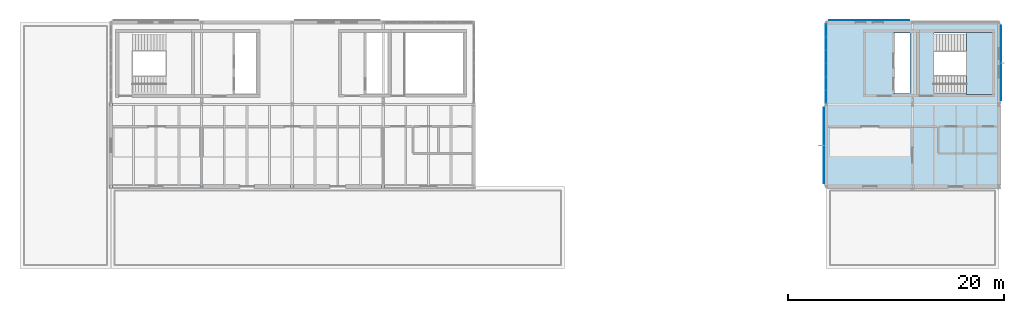
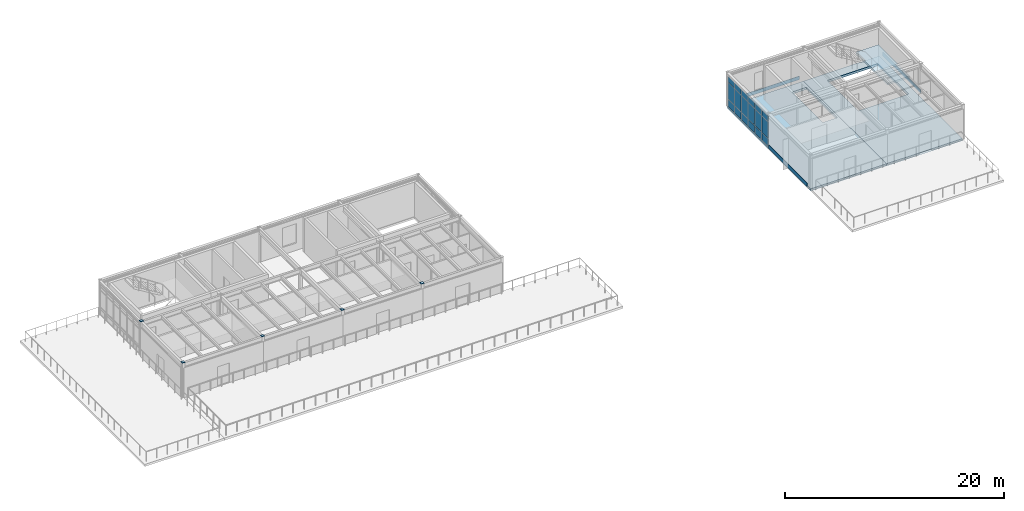
# One storey, part 18 of 26: 26 plates, 3 slabs, 2 elements without a shape of their own.
"""IFC4 building model written with IfcOpenShell, lengths in metres."""

from ifc_helpers import new_model, si_unit, direction, frame, origin, origin_2d, place, context, subcontext, project, spatial, polyline, rectangle, outline, extrude, material, layer, layer_set, type_object, element, aggregate, save


model = new_model("IFC4")

# Units and contexts
model_context = context("Model", 3, precision=1e-05, world=origin(), true_north=direction((0.0, 1.0)))
body_context = subcontext(model_context, "Body", "Model", "MODEL_VIEW")
ifc_project = project(units=[si_unit("LENGTHUNIT", "METRE"), si_unit("AREAUNIT", "SQUARE_METRE"), si_unit("VOLUMEUNIT", "CUBIC_METRE"), si_unit("PLANEANGLEUNIT", "RADIAN"), si_unit("MASSUNIT", "GRAM", prefix="KILO")], contexts=[model_context])

# Site, building, storey
site_placement = place(None, origin())
site = spatial("IfcSite", under=ifc_project, at=site_placement, CompositionType="ELEMENT")
building_placement = place(site_placement, origin())
building = spatial("IfcBuilding", under=site, at=building_placement, Name="Montecoro Central Library", CompositionType="ELEMENT")
storey_placement = place(building_placement, frame((0.0, 0.0, 21.419921875)))
storey = spatial("IfcBuildingStorey", under=building, at=storey_placement, Name="L05", CompositionType="ELEMENT", Elevation=21.419921875)

# Curtain wall, plates
ifc_material_1 = material(Name="Bronze-anodised aluminium and low-E glazing", Category="aluminium")
ifc_layer_1 = layer(ifc_material_1, 0.159912109375)
ifc_layer_set_1 = layer_set([ifc_layer_1], Name="Bronze-anodised aluminium and low-E glazing")
curtain_wall_type = type_object("IfcCurtainWallType", Name="CWT-057", PredefinedType="NOTDEFINED", material=ifc_layer_set_1)
curtain_wall_placement = place(storey_placement, origin())
curtain_wall = element("IfcCurtainWall", 1, at=curtain_wall_placement, inside=storey, type_object=curtain_wall_type, Name="V5-L05-CW-W1", PredefinedType="NOTDEFINED")
ifc_material_2 = material(Name="Laminated low-E double glazing", Category="glass")
ifc_layer_2 = layer(ifc_material_2, 0.033935546875)
ifc_layer_set_2 = layer_set([ifc_layer_2], Name="Laminated low-E double glazing")
plate_type_1 = type_object("IfcPlateType", Name="CWP-GLZ-03", PredefinedType="CURTAIN_PANEL", material=ifc_layer_set_2)
plate_1_placement = place(storey_placement, frame((141.0, 118.274169921875, 0.06005859375), z_axis=(0.0, 0.0, 1.0), x_axis=(0.0, -1.0, 0.0)))
plate_1 = element("IfcPlate", 2, at=plate_1_placement, type_object=plate_type_1, Name="CW-057 panel 1.1", PredefinedType="CURTAIN_PANEL", context=body_context, shape_type="SweptSolid", body=[
    extrude(rectangle(XDim=1.145751953125, YDim=0.033935546875, at=origin_2d()), origin(), (0.0, 0.0, 1.0), 0.81005859375),
])
plate_2_placement = place(storey_placement, frame((141.0, 118.274169921875, 0.93017578125), z_axis=(0.0, 0.0, 1.0), x_axis=(0.0, -1.0, 0.0)))
plate_2 = element("IfcPlate", 3, at=plate_2_placement, type_object=plate_type_1, Name="CW-057 panel 1.2", PredefinedType="CURTAIN_PANEL", context=body_context, shape_type="SweptSolid", body=[
    extrude(rectangle(XDim=1.145751953125, YDim=0.033935546875, at=origin_2d()), origin(), (0.0, 0.0, 1.0), 1.820068359375),
])
plate_3_placement = place(storey_placement, frame((141.0, 118.274169921875, 2.81005859375), z_axis=(0.0, 0.0, 1.0), x_axis=(0.0, -1.0, 0.0)))
plate_3 = element("IfcPlate", 4, at=plate_3_placement, type_object=plate_type_1, Name="CW-057 panel 1.3", PredefinedType="CURTAIN_PANEL", context=body_context, shape_type="SweptSolid", body=[
    extrude(rectangle(XDim=1.145751953125, YDim=0.033935546875, at=origin_2d()), origin(), (0.0, 0.0, 1.0), 0.610107421875),
])
plate_4_placement = place(storey_placement, frame((141.0, 117.053466796875, 0.06005859375), z_axis=(0.0, 0.0, 1.0), x_axis=(0.0, -1.0, 0.0)))
plate_4 = element("IfcPlate", 5, at=plate_4_placement, type_object=plate_type_1, Name="CW-057 panel 2.1", PredefinedType="CURTAIN_PANEL", context=body_context, shape_type="SweptSolid", body=[
    extrude(rectangle(XDim=1.17578125, YDim=0.033935546875, at=origin_2d()), origin(), (0.0, 0.0, 1.0), 0.81005859375),
])
plate_5_placement = place(storey_placement, frame((141.0, 117.053466796875, 0.93017578125), z_axis=(0.0, 0.0, 1.0), x_axis=(0.0, -1.0, 0.0)))
plate_5 = element("IfcPlate", 6, at=plate_5_placement, type_object=plate_type_1, Name="CW-057 panel 2.2", PredefinedType="CURTAIN_PANEL", context=body_context, shape_type="SweptSolid", body=[
    extrude(rectangle(XDim=1.17578125, YDim=0.033935546875, at=origin_2d()), origin(), (0.0, 0.0, 1.0), 1.820068359375),
])
plate_6_placement = place(storey_placement, frame((141.0, 117.053466796875, 2.81005859375), z_axis=(0.0, 0.0, 1.0), x_axis=(0.0, -1.0, 0.0)))
plate_6 = element("IfcPlate", 7, at=plate_6_placement, type_object=plate_type_1, Name="CW-057 panel 2.3", PredefinedType="CURTAIN_PANEL", context=body_context, shape_type="SweptSolid", body=[
    extrude(rectangle(XDim=1.17578125, YDim=0.033935546875, at=origin_2d()), origin(), (0.0, 0.0, 1.0), 0.610107421875),
])
plate_7_placement = place(storey_placement, frame((141.0, 115.81787109375, 0.06005859375), z_axis=(0.0, 0.0, 1.0), x_axis=(0.0, -1.0, 0.0)))
plate_7 = element("IfcPlate", 8, at=plate_7_placement, type_object=plate_type_1, Name="CW-057 panel 3.1", PredefinedType="CURTAIN_PANEL", context=body_context, shape_type="SweptSolid", body=[
    extrude(rectangle(XDim=1.17578125, YDim=0.033935546875, at=origin_2d()), origin(), (0.0, 0.0, 1.0), 0.81005859375),
])
plate_8_placement = place(storey_placement, frame((141.0, 115.81787109375, 0.93017578125), z_axis=(0.0, 0.0, 1.0), x_axis=(0.0, -1.0, 0.0)))
plate_8 = element("IfcPlate", 9, at=plate_8_placement, type_object=plate_type_1, Name="CW-057 panel 3.2", PredefinedType="CURTAIN_PANEL", context=body_context, shape_type="SweptSolid", body=[
    extrude(rectangle(XDim=1.17578125, YDim=0.033935546875, at=origin_2d()), origin(), (0.0, 0.0, 1.0), 1.820068359375),
])
plate_9_placement = place(storey_placement, frame((141.0, 115.81787109375, 2.81005859375), z_axis=(0.0, 0.0, 1.0), x_axis=(0.0, -1.0, 0.0)))
plate_9 = element("IfcPlate", 10, at=plate_9_placement, type_object=plate_type_1, Name="CW-057 panel 3.3", PredefinedType="CURTAIN_PANEL", context=body_context, shape_type="SweptSolid", body=[
    extrude(rectangle(XDim=1.17578125, YDim=0.033935546875, at=origin_2d()), origin(), (0.0, 0.0, 1.0), 0.610107421875),
])
plate_10_placement = place(storey_placement, frame((141.0, 114.582275390625, 0.06005859375), z_axis=(0.0, 0.0, 1.0), x_axis=(0.0, -1.0, 0.0)))
plate_10 = element("IfcPlate", 11, at=plate_10_placement, type_object=plate_type_1, Name="CW-057 panel 4.1", PredefinedType="CURTAIN_PANEL", context=body_context, shape_type="SweptSolid", body=[
    extrude(rectangle(XDim=1.17578125, YDim=0.033935546875, at=origin_2d()), origin(), (0.0, 0.0, 1.0), 0.81005859375),
])
plate_11_placement = place(storey_placement, frame((141.0, 114.582275390625, 0.93017578125), z_axis=(0.0, 0.0, 1.0), x_axis=(0.0, -1.0, 0.0)))
plate_11 = element("IfcPlate", 12, at=plate_11_placement, type_object=plate_type_1, Name="CW-057 panel 4.2", PredefinedType="CURTAIN_PANEL", context=body_context, shape_type="SweptSolid", body=[
    extrude(rectangle(XDim=1.17578125, YDim=0.033935546875, at=origin_2d()), origin(), (0.0, 0.0, 1.0), 1.820068359375),
])
plate_12_placement = place(storey_placement, frame((141.0, 114.582275390625, 2.81005859375), z_axis=(0.0, 0.0, 1.0), x_axis=(0.0, -1.0, 0.0)))
plate_12 = element("IfcPlate", 13, at=plate_12_placement, type_object=plate_type_1, Name="CW-057 panel 4.3", PredefinedType="CURTAIN_PANEL", context=body_context, shape_type="SweptSolid", body=[
    extrude(rectangle(XDim=1.17578125, YDim=0.033935546875, at=origin_2d()), origin(), (0.0, 0.0, 1.0), 0.610107421875),
])
plate_13_placement = place(storey_placement, frame((141.0, 113.346435546875, 0.06005859375), z_axis=(0.0, 0.0, 1.0), x_axis=(0.0, -1.0, 0.0)))
plate_13 = element("IfcPlate", 14, at=plate_13_placement, type_object=plate_type_1, Name="CW-057 panel 5.1", PredefinedType="CURTAIN_PANEL", context=body_context, shape_type="SweptSolid", body=[
    extrude(rectangle(XDim=1.17578125, YDim=0.033935546875, at=origin_2d()), origin(), (0.0, 0.0, 1.0), 0.81005859375),
])
plate_14_placement = place(storey_placement, frame((141.0, 113.346435546875, 0.93017578125), z_axis=(0.0, 0.0, 1.0), x_axis=(0.0, -1.0, 0.0)))
plate_14 = element("IfcPlate", 15, at=plate_14_placement, type_object=plate_type_1, Name="CW-057 panel 5.2", PredefinedType="CURTAIN_PANEL", context=body_context, shape_type="SweptSolid", body=[
    extrude(rectangle(XDim=1.17578125, YDim=0.033935546875, at=origin_2d()), origin(), (0.0, 0.0, 1.0), 1.820068359375),
])
plate_15_placement = place(storey_placement, frame((141.0, 113.346435546875, 2.81005859375), z_axis=(0.0, 0.0, 1.0), x_axis=(0.0, -1.0, 0.0)))
plate_15 = element("IfcPlate", 16, at=plate_15_placement, type_object=plate_type_1, Name="CW-057 panel 5.3", PredefinedType="CURTAIN_PANEL", context=body_context, shape_type="SweptSolid", body=[
    extrude(rectangle(XDim=1.17578125, YDim=0.033935546875, at=origin_2d()), origin(), (0.0, 0.0, 1.0), 0.610107421875),
])
plate_16_placement = place(storey_placement, frame((141.0, 112.125732421875, 0.06005859375), z_axis=(0.0, 0.0, 1.0), x_axis=(0.0, -1.0, 0.0)))
plate_16 = element("IfcPlate", 17, at=plate_16_placement, type_object=plate_type_1, Name="CW-057 panel 6.1", PredefinedType="CURTAIN_PANEL", context=body_context, shape_type="SweptSolid", body=[
    extrude(rectangle(XDim=1.145751953125, YDim=0.033935546875, at=origin_2d()), origin(), (0.0, 0.0, 1.0), 0.81005859375),
])
plate_17_placement = place(storey_placement, frame((141.0, 112.125732421875, 0.93017578125), z_axis=(0.0, 0.0, 1.0), x_axis=(0.0, -1.0, 0.0)))
plate_17 = element("IfcPlate", 18, at=plate_17_placement, type_object=plate_type_1, Name="CW-057 panel 6.2", PredefinedType="CURTAIN_PANEL", context=body_context, shape_type="SweptSolid", body=[
    extrude(rectangle(XDim=1.145751953125, YDim=0.033935546875, at=origin_2d()), origin(), (0.0, 0.0, 1.0), 1.820068359375),
])
plate_18_placement = place(storey_placement, frame((141.0, 112.125732421875, 2.81005859375), z_axis=(0.0, 0.0, 1.0), x_axis=(0.0, -1.0, 0.0)))
plate_18 = element("IfcPlate", 19, at=plate_18_placement, type_object=plate_type_1, Name="CW-057 panel 6.3", PredefinedType="CURTAIN_PANEL", context=body_context, shape_type="SweptSolid", body=[
    extrude(rectangle(XDim=1.145751953125, YDim=0.033935546875, at=origin_2d()), origin(), (0.0, 0.0, 1.0), 0.610107421875),
])
aggregate(curtain_wall, [plate_1, plate_2, plate_3, plate_4, plate_5, plate_6, plate_7, plate_8, plate_9, plate_10, plate_11, plate_12, plate_13, plate_14, plate_15, plate_16, plate_17, plate_18])

# Plates
ifc_material_3 = material(Name="Steel S355", Category="steel")
ifc_layer_3 = layer(ifc_material_3, 0.01611328125)
ifc_layer_set_3 = layer_set([ifc_layer_3], Name="Steel S355")
plate_type_2 = type_object("IfcPlateType", Name="PLT-CAP-16", PredefinedType="SHEET", material=ifc_layer_set_3)
for number, where, z_axis, x_axis, name in (
    (20, (74.800048828125, 103.800048828125, 3.880126953125), (0.0, 0.0, 1.0), (1.0, 0.0, 0.0), "V2-L05-CAPPL-10-P"),
    (21, (74.800048828125, 111.39990234375, 3.880126953125), (0.0, 0.0, 1.0), (1.0, 0.0, 0.0), "V2-L05-CAPPL-10-Q"),
    (22, (83.199951171875, 103.800048828125, 3.880126953125), (0.0, 0.0, 1.0), (1.0, 0.0, 0.0), "V2-L05-CAPPL-11-P"),
    (23, (91.60009765625, 103.800048828125, 3.880126953125), (0.0, 0.0, 1.0), (1.0, 0.0, 0.0), "V2-L05-CAPPL-12-P"),
    (24, (100.0, 103.800048828125, 3.880126953125), (0.0, 0.0, 1.0), (1.0, 0.0, 0.0), "V2-L05-CAPPL-13-P"),
):
    element("IfcPlate", number, at=place(storey_placement, frame(where, z_axis=z_axis, x_axis=x_axis)), inside=storey, type_object=plate_type_2, Name=name, PredefinedType="SHEET", context=body_context, shape_type="SweptSolid", body=[
        extrude(rectangle(XDim=0.300048828125, YDim=0.300048828125, at=origin_2d()), origin(), (0.0, 0.0, 1.0), 0.01611328125),
    ])
ifc_material_4 = material(Name="Architectural bronze spandrel plate", Category="aluminium")
ifc_layer_4 = layer(ifc_material_4, 0.035888671875)
ifc_layer_set_4 = layer_set([ifc_layer_4], Name="Architectural bronze spandrel plate")
plate_type_3 = type_object("IfcPlateType", Name="PLT-SPN-03", PredefinedType="SHEET", material=ifc_layer_set_4)
plate_19_placement = place(storey_placement, frame((145.0, 119.200439453125, 0.16015625), z_axis=(0.0, 0.0, 1.0), x_axis=(-1.0, 0.0, 0.0)))
element("IfcPlate", 25, at=plate_19_placement, inside=storey, type_object=plate_type_3, Name="V5-L05-SPN-N0", PredefinedType="SHEET", context=body_context, shape_type="SweptSolid", body=[
    extrude(rectangle(XDim=7.4140625, YDim=0.035888671875, at=origin_2d()), origin(), (0.0, 0.0, 1.0), 0.39990234375),
])
plate_20_placement = place(storey_placement, frame((140.799560546875, 107.60009765625, 0.16015625), z_axis=(0.0, 0.0, 1.0), x_axis=(0.0, -1.0, 0.0)))
element("IfcPlate", 26, at=plate_20_placement, inside=storey, type_object=plate_type_3, Name="V5-L05-SPN-W0", PredefinedType="SHEET", context=body_context, shape_type="SweptSolid", body=[
    extrude(rectangle(XDim=7.013916015625, YDim=0.035888671875, at=origin_2d()), origin(), (0.0, 0.0, 1.0), 0.39990234375),
])
ifc_layer_5 = layer(ifc_material_4, 0.0439453125)
ifc_layer_set_5 = layer_set([ifc_layer_5], Name="Architectural bronze spandrel plate")
plate_type_4 = type_object("IfcPlateType", Name="PLT-SPN-04", PredefinedType="SHEET", material=ifc_layer_set_5)
plate_21_placement = place(storey_placement, frame((157.20458984375, 115.242431640625, 0.16015625), z_axis=(0.0, 0.0, 1.0), x_axis=(0.0, 1.0, 0.0)))
element("IfcPlate", 27, at=plate_21_placement, inside=storey, type_object=plate_type_4, Name="V5-L05-SPN-E1", PredefinedType="SHEET", context=body_context, shape_type="SweptSolid", body=[
    extrude(rectangle(XDim=6.928955078125, YDim=0.0439453125, at=origin_2d()), origin(), (0.0, 0.0, 1.0), 0.39990234375),
])

# Stair, slab
ifc_material_5 = material(Name="Concrete C35/45", Category="concrete")
stair_type = type_object("IfcStairType", Name="STR-RET-160", PredefinedType="HALF_TURN_STAIR", material=ifc_material_5)
stair_placement = place(storey_placement, origin())
stair = element("IfcStair", 28, at=stair_placement, inside=storey, type_object=stair_type, Name="C6-L05-STR", PredefinedType="HALF_TURN_STAIR")
ifc_layer_6 = layer(ifc_material_5, 0.199951171875)
ifc_layer_set_6 = layer_set([ifc_layer_6], Name="Concrete C35/45")
slab_type_1 = type_object("IfcSlabType", Name="SL-LND-200", PredefinedType="LANDING", material=ifc_layer_set_6)
slab_1_placement = place(storey_placement, frame((0.0, 0.0, 1.840087890625)))
slab_1 = element("IfcSlab", 29, at=slab_1_placement, type_object=slab_type_1, Name="ST-06 landing 1", PredefinedType="LANDING", context=body_context, shape_type="SweptSolid", body=[
    extrude(outline(polyline([(154.0, 112.320068359375), (156.3798828125, 112.320068359375), (156.3798828125, 118.080078125), (154.0, 118.080078125), (154.0, 112.320068359375)])), origin(), (0.0, 0.0, 1.0), 0.199951171875),
])
aggregate(stair, [slab_1])

# Slabs
ifc_material_6 = material(Name="Concrete C32/40", Category="concrete")
ifc_layer_7 = layer(ifc_material_6, 0.2451171875)
ifc_layer_set_7 = layer_set([ifc_layer_7], Name="Concrete C32/40")
slab_type_2 = type_object("IfcSlabType", Name="SL-STK-245", PredefinedType="FLOOR", material=ifc_layer_set_7)
slab_2_placement = place(storey_placement, frame((0.0, 0.0, -0.244873046875)))
element("IfcSlab", 30, at=slab_2_placement, inside=storey, type_object=slab_type_2, Name="V5-L05-SL1", PredefinedType="FLOOR", context=body_context, shape_type="SweptSolid", body=[
    extrude(outline(polyline([(141.0, 103.800048828125), (149.0, 103.800048828125), (149.0, 119.0), (141.0, 119.0), (141.0, 103.800048828125)]), holes=[polyline([(147.25, 118.0), (148.780029296875, 118.0), (148.780029296875, 112.39990234375), (147.25, 112.39990234375), (147.25, 118.0)])]), origin(), (0.0, 0.0, 1.0), 0.244873046875),
])
slab_3_placement = place(storey_placement, frame((0.0, 0.0, -0.244873046875)))
element("IfcSlab", 31, at=slab_3_placement, inside=storey, type_object=slab_type_2, Name="V5-L05-SL2", PredefinedType="FLOOR", context=body_context, shape_type="SweptSolid", body=[
    extrude(outline(polyline([(149.0, 103.800048828125), (157.0, 103.800048828125), (157.0, 119.0), (149.0, 119.0), (149.0, 103.800048828125)]), holes=[polyline([(150.9599609375, 118.0), (156.300048828125, 118.0), (156.300048828125, 112.39990234375), (150.9599609375, 112.39990234375), (150.9599609375, 118.0)])]), origin(), (0.0, 0.0, 1.0), 0.244873046875),
])

save(model, "model.ifc")
